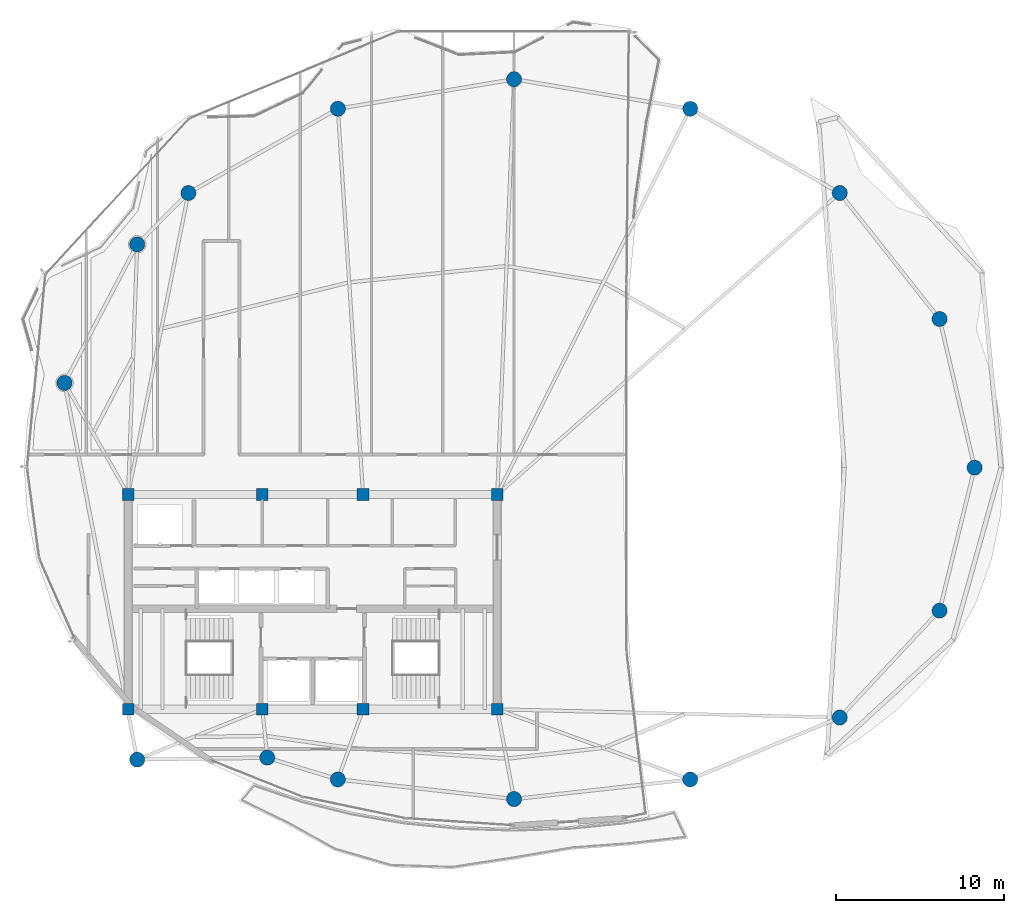
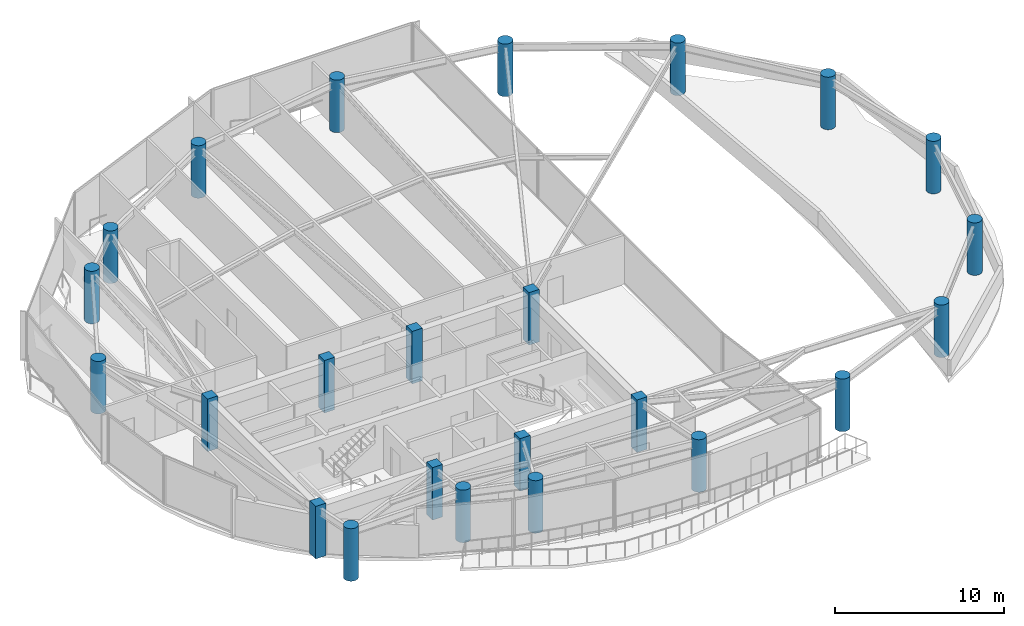
# One storey, part 1 of 23: 24 columns.
"""IFC4 building model written with IfcOpenShell, lengths in metres."""

from ifc_helpers import new_model, si_unit, direction, frame, origin, origin_2d, place, context, subcontext, project, spatial, rectangle, circle, extrude, material, material_profile, profile_set, type_object, element, save


model = new_model("IFC4")

# Units and contexts
model_context = context("Model", 3, precision=1e-05, world=origin(), true_north=direction((0.0, 1.0)))
body_context = subcontext(model_context, "Body", "Model", "MODEL_VIEW")
ifc_project = project(units=[si_unit("LENGTHUNIT", "METRE"), si_unit("AREAUNIT", "SQUARE_METRE"), si_unit("VOLUMEUNIT", "CUBIC_METRE"), si_unit("PLANEANGLEUNIT", "RADIAN"), si_unit("MASSUNIT", "GRAM", prefix="KILO")], contexts=[model_context])

# Site, building, storey
site_placement = place(None, origin())
site = spatial("IfcSite", under=ifc_project, at=site_placement, CompositionType="ELEMENT")
building_placement = place(site_placement, origin())
building = spatial("IfcBuilding", under=site, at=building_placement, Name="Kazevale Care Tower and Concert Hall", CompositionType="ELEMENT")
storey_placement = place(building_placement, frame((0.0, 0.0, 270.0)))
storey = spatial("IfcBuildingStorey", under=building, at=storey_placement, Name="L71", CompositionType="ELEMENT", Elevation=270.0)

# Columns
ifc_material = material(Name="Concrete C50", Category="concrete")
ifc_material_profile_1 = material_profile(ifc_material, rectangle(XDim=0.699951171875, YDim=0.699951171875, at=origin_2d()), Name="RC-SQ700")
ifc_profile_set_1 = profile_set([ifc_material_profile_1], Name="Concrete C50")
column_type_1 = type_object("IfcColumnType", Name="Core Column SQ700 C50", PredefinedType="COLUMN", material=ifc_profile_set_1)
for number, where, z_axis, x_axis, name in (
    (1, (22.0, 23.60009765625, 0.0), (0.0, 0.0, 1.0), (1.0, 0.0, 0.0), "col:L71:CC-01"),
    (2, (30.0, 23.60009765625, 0.0), (0.0, 0.0, 1.0), (1.0, 0.0, 0.0), "col:L71:CC-02"),
    (3, (36.0, 23.60009765625, 0.0), (0.0, 0.0, 1.0), (1.0, 0.0, 0.0), "col:L71:CC-03"),
    (4, (44.0, 23.60009765625, 0.0), (0.0, 0.0, 1.0), (1.0, 0.0, 0.0), "col:L71:CC-04"),
    (5, (44.0, 36.39990234375, 0.0), (0.0, 0.0, 1.0), (1.0, 0.0, 0.0), "col:L71:CC-05"),
    (6, (36.0, 36.39990234375, 0.0), (0.0, 0.0, 1.0), (1.0, 0.0, 0.0), "col:L71:CC-06"),
    (7, (30.0, 36.39990234375, 0.0), (0.0, 0.0, 1.0), (1.0, 0.0, 0.0), "col:L71:CC-07"),
    (8, (22.0, 36.39990234375, 0.0), (0.0, 0.0, 1.0), (1.0, 0.0, 0.0), "col:L71:CC-08"),
):
    element("IfcColumn", number, at=place(storey_placement, frame(where, z_axis=z_axis, x_axis=x_axis)), inside=storey, type_object=column_type_1, Name=name, PredefinedType="COLUMN", context=body_context, shape_type="SweptSolid", body=[
        extrude(rectangle(XDim=0.699951171875, YDim=0.699951171875, at=origin_2d()), origin(), (0.0, 0.0, 1.0), 3.800048828125),
    ])
ifc_material_profile_2 = material_profile(ifc_material, circle(Radius=0.449951171875, at=origin_2d()), Name="RC-CIR900")
ifc_profile_set_2 = profile_set([ifc_material_profile_2], Name="Concrete C50")
column_type_2 = type_object("IfcColumnType", Name="Perimeter Column CIR900 C50", PredefinedType="COLUMN", material=ifc_profile_set_2)
for number, where, z_axis, x_axis, name in (
    (9, (72.449951171875, 38.0, 0.0), (0.0, 0.0, 1.0), (1.0, 0.0, 0.0), "col:L71:PC-01"),
    (10, (70.360107421875, 46.860107421875, 0.0), (0.0, 0.0, 1.0), (1.0, 0.0, 0.0), "col:L71:PC-02"),
    (11, (64.409912109375, 54.3701171875, 0.0), (0.0, 0.0, 1.0), (1.0, 0.0, 0.0), "col:L71:PC-03"),
    (12, (55.5, 59.389892578125, 0.0), (0.0, 0.0, 1.0), (1.0, 0.0, 0.0), "col:L71:PC-04"),
    (13, (45.0, 61.14990234375, 0.0), (0.0, 0.0, 1.0), (1.0, 0.0, 0.0), "col:L71:PC-05"),
    (14, (34.5, 59.389892578125, 0.0), (0.0, 0.0, 1.0), (1.0, 0.0, 0.0), "col:L71:PC-06"),
    (15, (25.590087890625, 54.3701171875, 0.0), (0.0, 0.0, 1.0), (1.0, 0.0, 0.0), "col:L71:PC-07"),
    (16, (22.5400390625, 51.31005859375, 0.0), (0.0, 0.0, 1.0), (1.0, 0.0, 0.0), "col:L71:PC-08"),
    (17, (18.2099609375, 43.050048828125, 0.0), (0.0, 0.0, 1.0), (1.0, 0.0, 0.0), "col:L71:PC-09"),
    (18, (22.5400390625, 20.60009765625, 0.0), (0.0, 0.0, 1.0), (1.0, 0.0, 0.0), "col:L71:PC-10"),
    (19, (30.2900390625, 20.719970703125, 0.0), (0.0, 0.0, 1.0), (1.0, 0.0, 0.0), "col:L71:PC-11"),
    (20, (34.5, 19.419921875, 0.0), (0.0, 0.0, 1.0), (1.0, 0.0, 0.0), "col:L71:PC-12"),
    (21, (45.0, 18.25, 0.0), (0.0, 0.0, 1.0), (1.0, 0.0, 0.0), "col:L71:PC-13"),
    (22, (55.5, 19.419921875, 0.0), (0.0, 0.0, 1.0), (1.0, 0.0, 0.0), "col:L71:PC-14"),
    (23, (64.409912109375, 23.110107421875, 0.0), (0.0, 0.0, 1.0), (1.0, 0.0, 0.0), "col:L71:PC-15"),
    (24, (70.360107421875, 29.47998046875, 0.0), (0.0, 0.0, 1.0), (1.0, 0.0, 0.0), "col:L71:PC-16"),
):
    element("IfcColumn", number, at=place(storey_placement, frame(where, z_axis=z_axis, x_axis=x_axis)), inside=storey, type_object=column_type_2, Name=name, PredefinedType="COLUMN", context=body_context, shape_type="SweptSolid", body=[
        extrude(circle(Radius=0.449951171875, at=origin_2d()), origin(), (0.0, 0.0, 1.0), 3.800048828125),
    ])

save(model, "model.ifc")
